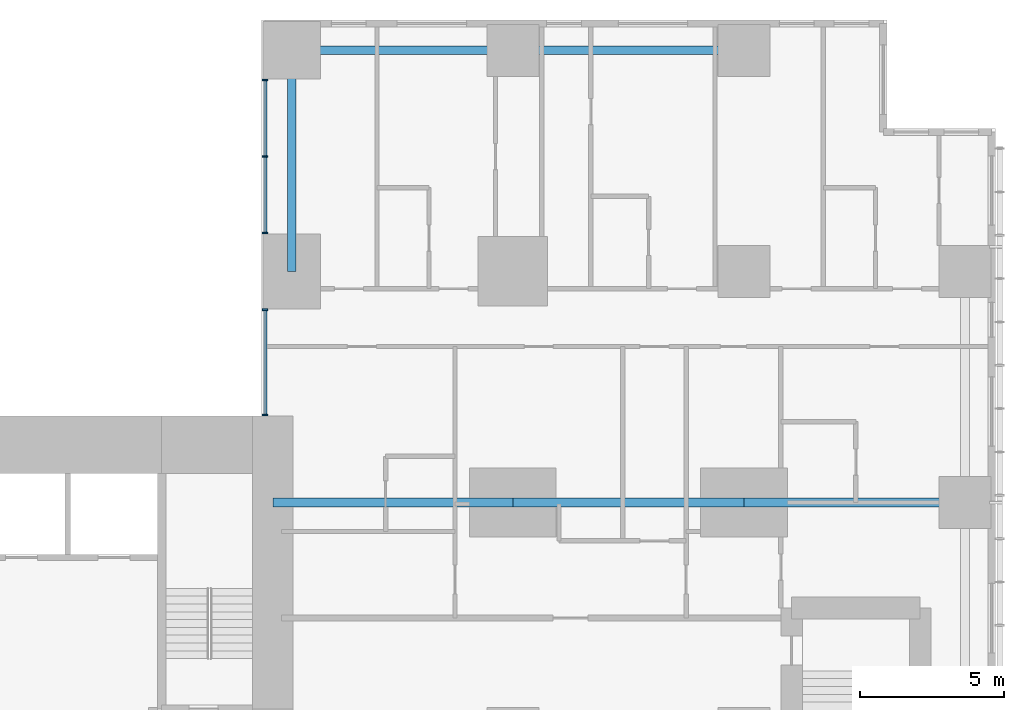
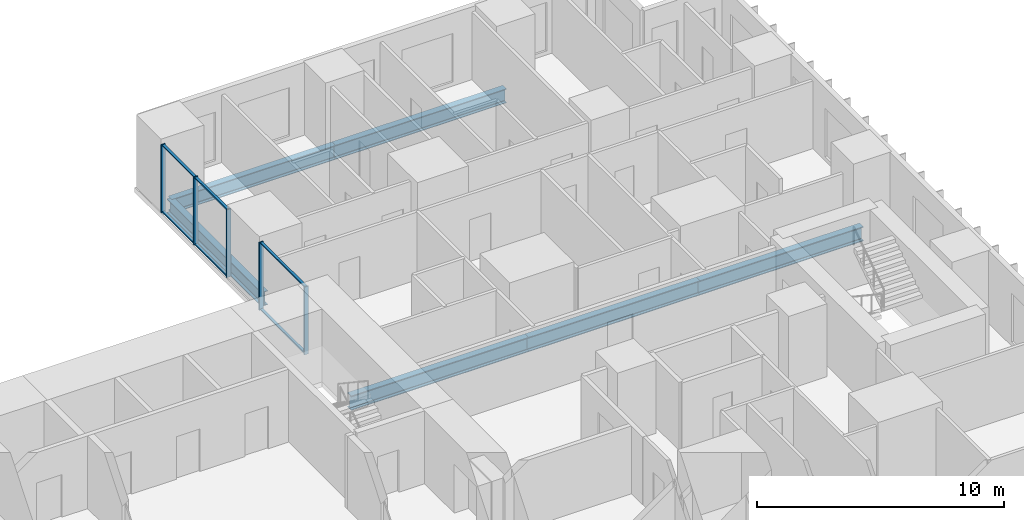
# One storey, part 5 of 20: 11 members, 6 beams, 2 elements without a shape of their own.
"""IFC4 building model written with IfcOpenShell, lengths in metres."""

from ifc_helpers import new_model, si_unit, direction, frame, origin, origin_2d, place, context, subcontext, project, spatial, rectangle, i_section, extrude, material, layer, layer_set, material_profile, profile_set, type_object, element, aggregate, save


model = new_model("IFC4")

# Units and contexts
model_context = context("Model", 3, precision=1e-05, world=origin(), true_north=direction((0.0, 1.0)))
body_context = subcontext(model_context, "Body", "Model", "MODEL_VIEW")
ifc_project = project(units=[si_unit("LENGTHUNIT", "METRE"), si_unit("AREAUNIT", "SQUARE_METRE"), si_unit("VOLUMEUNIT", "CUBIC_METRE"), si_unit("PLANEANGLEUNIT", "RADIAN"), si_unit("MASSUNIT", "GRAM", prefix="KILO")], contexts=[model_context])

# Site, building, storey
site_placement = place(None, origin())
site = spatial("IfcSite", under=ifc_project, at=site_placement, CompositionType="ELEMENT")
building_placement = place(site_placement, origin())
building = spatial("IfcBuilding", under=site, at=building_placement, Name="Cleftline Residences", CompositionType="ELEMENT")
storey_placement = place(building_placement, frame((0.0, 0.0, 193.0)))
storey = spatial("IfcBuildingStorey", under=building, at=storey_placement, Name="L50", CompositionType="ELEMENT", Elevation=193.0)

# Beams
ifc_material_1 = material(Name="Steel S355", Category="steel")
ifc_material_profile_1 = material_profile(ifc_material_1, i_section(OverallWidth=0.300048828125, OverallDepth=0.699951171875, WebThickness=0.01708984375, FlangeThickness=0.031982421875, FilletRadius=0.027099609375, at=origin_2d()))
ifc_profile_set_1 = profile_set([ifc_material_profile_1], Name="Steel S355")
beam_type_1 = type_object("IfcBeamType", Name="BEAM HEB 700", PredefinedType="BEAM", material=ifc_profile_set_1)
beam_1_placement = place(storey_placement, frame((58.0, 47.64990234375, -0.60009765625), z_axis=(-1.0, 0.0, 0.0), x_axis=(0.0, -1.0, 0.0)))
element("IfcBeam", 1, at=beam_1_placement, inside=storey, type_object=beam_type_1, Name="Edge beam", PredefinedType="BEAM", context=body_context, shape_type="SweptSolid", body=[
    extrude(i_section(OverallWidth=0.300048828125, OverallDepth=0.699951171875, WebThickness=0.01708984375, FlangeThickness=0.031982421875, FilletRadius=0.027099609375, at=origin_2d()), origin(), (0.0, 0.0, 1.0), 8.0),
])
for number, where, z_axis, x_axis, name in (
    (2, (50.0, 47.64990234375, -0.60009765625), (-1.0, 0.0, 0.0), (0.0, -1.0, 0.0), "Edge beam"),
    (3, (42.35009765625, 47.64990234375, -0.60009765625), (0.0, -1.0, 0.0), (1.0, 0.0, 0.0), "Edge beam"),
):
    element("IfcBeam", number, at=place(storey_placement, frame(where, z_axis=z_axis, x_axis=x_axis)), inside=storey, type_object=beam_type_1, Name=name, PredefinedType="BEAM", context=body_context, shape_type="SweptSolid", body=[
        extrude(i_section(OverallWidth=0.300048828125, OverallDepth=0.699951171875, WebThickness=0.01708984375, FlangeThickness=0.031982421875, FilletRadius=0.027099609375, at=origin_2d()), origin(), (0.0, 0.0, 1.0), 7.64990234375),
    ])
ifc_material_2 = material(Name="Steel S355", Category="steel")
ifc_material_profile_2 = material_profile(ifc_material_2, i_section(OverallWidth=0.303955078125, OverallDepth=0.716064453125, WebThickness=0.02099609375, FlangeThickness=0.0400390625, FilletRadius=0.027099609375, at=origin_2d()))
ifc_profile_set_2 = profile_set([ifc_material_profile_2], Name="Steel S355")
beam_type_2 = type_object("IfcBeamType", Name="BEAM HEM 700", PredefinedType="BEAM", material=ifc_profile_set_2)
beam_2_placement = place(storey_placement, frame((65.64990234375, 32.0, -0.60791015625), z_axis=(-1.0, 0.0, 0.0), x_axis=(0.0, -1.0, 0.0)))
element("IfcBeam", 4, at=beam_2_placement, inside=storey, type_object=beam_type_2, Name="Band beam", PredefinedType="BEAM", context=body_context, shape_type="SweptSolid", body=[
    extrude(i_section(OverallWidth=0.303955078125, OverallDepth=0.716064453125, WebThickness=0.02099609375, FlangeThickness=0.0400390625, FilletRadius=0.027099609375, at=origin_2d()), origin(), (0.0, 0.0, 1.0), 7.64990234375),
])
beam_3_placement = place(storey_placement, frame((58.0, 32.0, -0.60791015625), z_axis=(-1.0, 0.0, 0.0), x_axis=(0.0, -1.0, 0.0)))
element("IfcBeam", 5, at=beam_3_placement, inside=storey, type_object=beam_type_2, Name="Band beam", PredefinedType="BEAM", context=body_context, shape_type="SweptSolid", body=[
    extrude(i_section(OverallWidth=0.303955078125, OverallDepth=0.716064453125, WebThickness=0.02099609375, FlangeThickness=0.0400390625, FilletRadius=0.027099609375, at=origin_2d()), origin(), (0.0, 0.0, 1.0), 8.0),
])
beam_4_placement = place(storey_placement, frame((50.0, 32.0, -0.60791015625), z_axis=(-1.0, 0.0, 0.0), x_axis=(0.0, -1.0, 0.0)))
element("IfcBeam", 6, at=beam_4_placement, inside=storey, type_object=beam_type_2, Name="Band beam", PredefinedType="BEAM", context=body_context, shape_type="SweptSolid", body=[
    extrude(i_section(OverallWidth=0.303955078125, OverallDepth=0.716064453125, WebThickness=0.02099609375, FlangeThickness=0.0400390625, FilletRadius=0.027099609375, at=origin_2d()), origin(), (0.0, 0.0, 1.0), 8.300048828125),
])

# Curtain wall, members
ifc_material_3 = material(Name="Aluminium framed curtain wall", Category="aluminium")
ifc_layer = layer(ifc_material_3, 0.199951171875)
ifc_layer_set = layer_set([ifc_layer], Name="CW1 CLEFT GLAZING")
curtain_wall_type = type_object("IfcCurtainWallType", Name="CW1 CLEFT GLAZING", PredefinedType="NOTDEFINED", material=ifc_layer_set)
curtain_wall_1_placement = place(storey_placement, origin())
curtain_wall_1 = element("IfcCurtainWall", 7, at=curtain_wall_1_placement, inside=storey, type_object=curtain_wall_type, Name="Curtain wall CW1", PredefinedType="NOTDEFINED")
ifc_material_4 = material(Name="Aluminium mullion", Category="aluminium")
ifc_material_profile_3 = material_profile(ifc_material_4, rectangle(XDim=0.199951171875, YDim=0.06005859375, at=origin_2d()))
ifc_profile_set_3 = profile_set([ifc_material_profile_3], Name="Aluminium mullion")
member_type_1 = type_object("IfcMemberType", Name="CW1 MULLION", PredefinedType="MULLION", material=ifc_profile_set_3)
member_1_placement = place(storey_placement, frame((41.425048828125, 46.6201171875, 0.0), z_axis=(0.0, 0.0, 1.0), x_axis=(1.0, 0.0, 0.0)))
member_1 = element("IfcMember", 8, at=member_1_placement, type_object=member_type_1, Name="CW1 mullion 1", PredefinedType="MULLION", context=body_context, shape_type="SweptSolid", body=[
    extrude(rectangle(XDim=0.199951171875, YDim=0.06005859375, at=origin_2d()), origin(), (0.0, 0.0, 1.0), 3.35009765625),
])
member_2_placement = place(storey_placement, frame((41.425048828125, 43.97509765625, 0.0), z_axis=(0.0, 0.0, 1.0), x_axis=(1.0, 0.0, 0.0)))
member_2 = element("IfcMember", 9, at=member_2_placement, type_object=member_type_1, Name="CW1 mullion 2", PredefinedType="MULLION", context=body_context, shape_type="SweptSolid", body=[
    extrude(rectangle(XDim=0.199951171875, YDim=0.06005859375, at=origin_2d()), origin(), (0.0, 0.0, 1.0), 3.35009765625),
])
member_3_placement = place(storey_placement, frame((41.425048828125, 41.330078125, 0.0), z_axis=(0.0, 0.0, 1.0), x_axis=(1.0, 0.0, 0.0)))
member_3 = element("IfcMember", 10, at=member_3_placement, type_object=member_type_1, Name="CW1 mullion 3", PredefinedType="MULLION", context=body_context, shape_type="SweptSolid", body=[
    extrude(rectangle(XDim=0.199951171875, YDim=0.06005859375, at=origin_2d()), origin(), (0.0, 0.0, 1.0), 3.35009765625),
])

curtain_wall_2_placement = place(storey_placement, origin())
curtain_wall_2 = element("IfcCurtainWall", 11, at=curtain_wall_2_placement, inside=storey, type_object=curtain_wall_type, Name="Curtain wall CW1", PredefinedType="NOTDEFINED")
member_4_placement = place(storey_placement, frame((41.425048828125, 38.669921875, 0.0), z_axis=(0.0, 0.0, 1.0), x_axis=(1.0, 0.0, 0.0)))
member_4 = element("IfcMember", 12, at=member_4_placement, type_object=member_type_1, Name="CW1 mullion 1", PredefinedType="MULLION", context=body_context, shape_type="SweptSolid", body=[
    extrude(rectangle(XDim=0.199951171875, YDim=0.06005859375, at=origin_2d()), origin(), (0.0, 0.0, 1.0), 3.35009765625),
])
member_5_placement = place(storey_placement, frame((41.425048828125, 35.030029296875, 0.0), z_axis=(0.0, 0.0, 1.0), x_axis=(1.0, 0.0, 0.0)))
member_5 = element("IfcMember", 13, at=member_5_placement, type_object=member_type_1, Name="CW1 mullion 2", PredefinedType="MULLION", context=body_context, shape_type="SweptSolid", body=[
    extrude(rectangle(XDim=0.199951171875, YDim=0.06005859375, at=origin_2d()), origin(), (0.0, 0.0, 1.0), 3.35009765625),
])

# Member
ifc_material_5 = material(Name="Aluminium transom", Category="aluminium")
ifc_material_profile_4 = material_profile(ifc_material_5, rectangle(XDim=0.1201171875, YDim=0.06005859375, at=origin_2d()))
ifc_profile_set_4 = profile_set([ifc_material_profile_4], Name="Aluminium transom")
member_type_2 = type_object("IfcMemberType", Name="CW1 TRANSOM", PredefinedType="USERDEFINED", material=ifc_profile_set_4)
member_6_placement = place(storey_placement, frame((41.425048828125, 46.590087890625, 0.030029296875), z_axis=(0.0, -1.0, 0.0), x_axis=(1.0, 0.0, 0.0)))
member_6 = element("IfcMember", 14, at=member_6_placement, type_object=member_type_2, Name="CW1 transom 1.1", ObjectType="TRANSOM", PredefinedType="USERDEFINED", context=body_context, shape_type="SweptSolid", body=[
    extrude(rectangle(XDim=0.1201171875, YDim=0.06005859375, at=origin_2d()), origin(), (0.0, 0.0, 1.0), 2.585205078125),
])

member_7_placement = place(storey_placement, frame((41.425048828125, 46.590087890625, 3.320068359375), z_axis=(0.0, -1.0, 0.0), x_axis=(1.0, 0.0, 0.0)))
member_7 = element("IfcMember", 15, at=member_7_placement, type_object=member_type_2, Name="CW1 transom 1.2", ObjectType="TRANSOM", PredefinedType="USERDEFINED", context=body_context, shape_type="SweptSolid", body=[
    extrude(rectangle(XDim=0.1201171875, YDim=0.06005859375, at=origin_2d()), origin(), (0.0, 0.0, 1.0), 2.585205078125),
])

member_8_placement = place(storey_placement, frame((41.425048828125, 43.945068359375, 0.030029296875), z_axis=(0.0, -1.0, 0.0), x_axis=(1.0, 0.0, 0.0)))
member_8 = element("IfcMember", 16, at=member_8_placement, type_object=member_type_2, Name="CW1 transom 2.1", ObjectType="TRANSOM", PredefinedType="USERDEFINED", context=body_context, shape_type="SweptSolid", body=[
    extrude(rectangle(XDim=0.1201171875, YDim=0.06005859375, at=origin_2d()), origin(), (0.0, 0.0, 1.0), 2.5849609375),
])

member_9_placement = place(storey_placement, frame((41.425048828125, 43.945068359375, 3.320068359375), z_axis=(0.0, -1.0, 0.0), x_axis=(1.0, 0.0, 0.0)))
member_9 = element("IfcMember", 17, at=member_9_placement, type_object=member_type_2, Name="CW1 transom 2.2", ObjectType="TRANSOM", PredefinedType="USERDEFINED", context=body_context, shape_type="SweptSolid", body=[
    extrude(rectangle(XDim=0.1201171875, YDim=0.06005859375, at=origin_2d()), origin(), (0.0, 0.0, 1.0), 2.5849609375),
])

aggregate(curtain_wall_1, [member_1, member_2, member_3, member_6, member_7, member_8, member_9])

member_10_placement = place(storey_placement, frame((41.425048828125, 38.639892578125, 0.030029296875), z_axis=(0.0, -1.0, 0.0), x_axis=(1.0, 0.0, 0.0)))
member_10 = element("IfcMember", 18, at=member_10_placement, type_object=member_type_2, Name="CW1 transom 1.1", ObjectType="TRANSOM", PredefinedType="USERDEFINED", context=body_context, shape_type="SweptSolid", body=[
    extrude(rectangle(XDim=0.1201171875, YDim=0.06005859375, at=origin_2d()), origin(), (0.0, 0.0, 1.0), 3.579833984375),
])

member_11_placement = place(storey_placement, frame((41.425048828125, 38.639892578125, 3.320068359375), z_axis=(0.0, -1.0, 0.0), x_axis=(1.0, 0.0, 0.0)))
member_11 = element("IfcMember", 19, at=member_11_placement, type_object=member_type_2, Name="CW1 transom 1.2", ObjectType="TRANSOM", PredefinedType="USERDEFINED", context=body_context, shape_type="SweptSolid", body=[
    extrude(rectangle(XDim=0.1201171875, YDim=0.06005859375, at=origin_2d()), origin(), (0.0, 0.0, 1.0), 3.579833984375),
])

aggregate(curtain_wall_2, [member_4, member_5, member_10, member_11])

save(model, "model.ifc")
